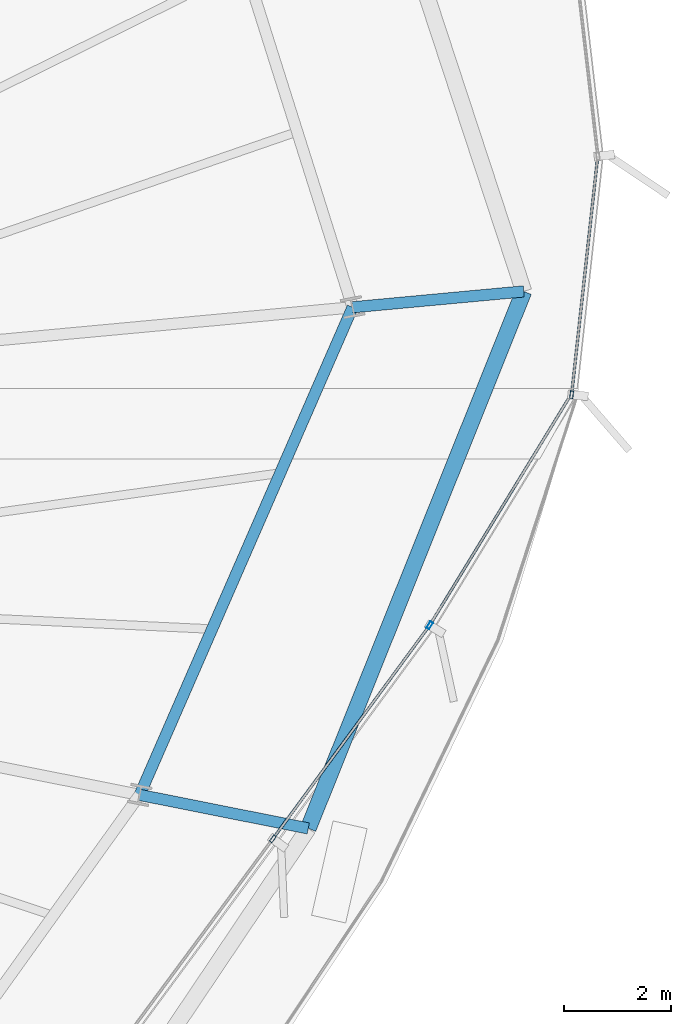
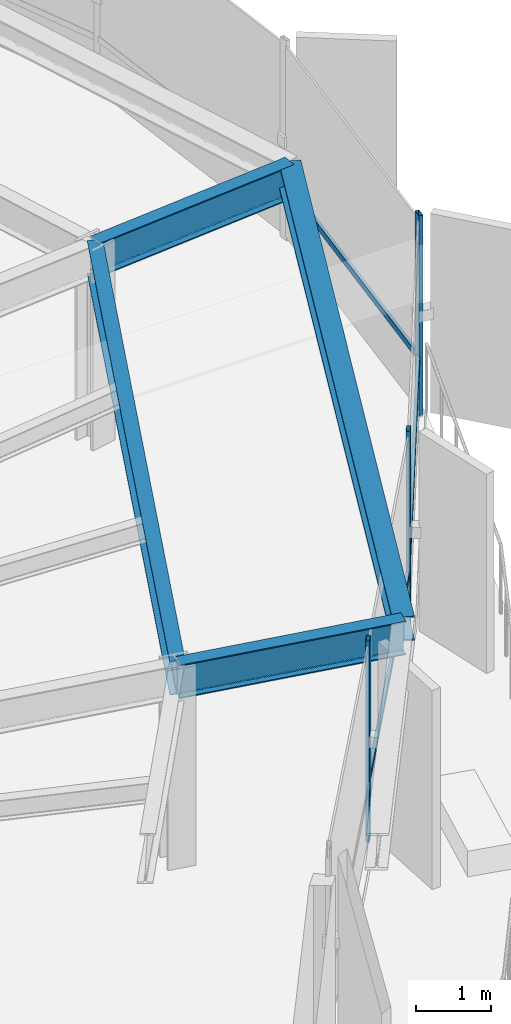
# One storey, part 16 of 34: 6 members, 4 beams, 1 element without a shape of its own.
"""IFC4 building model written with IfcOpenShell, lengths in metres."""

from ifc_helpers import new_model, si_unit, direction, frame, origin, origin_2d, place, context, subcontext, project, spatial, hollow_rectangle, i_section, extrude, source, transform, mapped, material, layer, layer_set, material_profile, profile_set, type_object, element, aggregate, save


model = new_model("IFC4")

# Units and contexts
model_context = context("Model", 3, precision=1e-05, world=origin(), true_north=direction((0.0, 1.0)))
body_context = subcontext(model_context, "Body", "Model", "MODEL_VIEW")
ifc_project = project(units=[si_unit("LENGTHUNIT", "METRE"), si_unit("AREAUNIT", "SQUARE_METRE"), si_unit("VOLUMEUNIT", "CUBIC_METRE"), si_unit("PLANEANGLEUNIT", "RADIAN"), si_unit("MASSUNIT", "GRAM", prefix="KILO"), si_unit("THERMODYNAMICTEMPERATUREUNIT", "KELVIN")], contexts=[model_context])

# Site, building, storey
site_placement = place(None, origin())
site = spatial("IfcSite", under=ifc_project, at=site_placement, CompositionType="ELEMENT")
building_placement = place(site_placement, origin())
building = spatial("IfcBuilding", under=site, at=building_placement, Name="Kethvar Cultural Tower", CompositionType="ELEMENT")
storey_placement = place(building_placement, frame((0.0, 0.0, 153.64990234375)))
storey = spatial("IfcBuildingStorey", under=building, at=storey_placement, Name="L39", CompositionType="ELEMENT", Elevation=153.64990234375)

# Beams
ifc_material_1 = material(Name="Steel S355J2", Category="steel")
ifc_material_profile_1 = material_profile(ifc_material_1, i_section(OverallWidth=0.2099609375, OverallDepth=0.550048828125, WebThickness=0.010986328125, FlangeThickness=0.01708984375, FilletRadius=0.02392578125, at=origin_2d()), Name="Steel S355J2 — IPE550")
ifc_profile_set_1 = profile_set([ifc_material_profile_1], Name="Steel S355J2 — IPE550")
beam_type_1 = type_object("IfcBeamType", Name="BM-IPE550", PredefinedType="BEAM", material=ifc_profile_set_1)
shared_shape_1 = source(origin(), body_context, "Body", "SweptSolid", [
    extrude(i_section(OverallWidth=0.2099609375, OverallDepth=0.550048828125, WebThickness=0.010986328125, FlangeThickness=0.01708984375, FilletRadius=0.02392578125, at=origin_2d()), origin(), (0.0, 0.0, 1.0), 3.199951171875),
])
for number, where, z_axis, x_axis, name in (
    (1, (71.6025390625, 32.7333984375, 3.023193359375), (0.995729641608, 0.092317283453, 0.0), (-0.092317283453, 0.995729641608, 0.0), "L39 Perimeter Cantilever Beam RC-01"),
    (2, (67.638671875, 23.65478515625, 3.023193359375), (0.980785550224, -0.195088965533, 0.0), (0.195088965533, 0.980785550224, 0.0), "L39 Perimeter Cantilever Beam RC-16"),
):
    element("IfcBeam", number, at=place(storey_placement, frame(where, z_axis=z_axis, x_axis=x_axis)), inside=storey, type_object=beam_type_1, Name=name, PredefinedType="BEAM", context=body_context, shape_type="MappedRepresentation", body=[
        mapped(shared_shape_1, transform((0.0, 0.0, 0.0), scale=1.0)),
    ])
shared_shape_2 = source(origin(), body_context, "Body", "SweptSolid", [
    extrude(i_section(OverallWidth=0.2099609375, OverallDepth=0.550048828125, WebThickness=0.010986328125, FlangeThickness=0.01708984375, FilletRadius=0.02392578125, at=origin_2d()), origin(), (0.0, 0.0, 1.0), 9.90625),
])
beam_1_placement = place(storey_placement, frame((67.638671875, 23.65478515625, 3.023193359375), z_axis=(0.400138679026, 0.916454602011, 0.0), x_axis=(-0.916454602011, 0.400138679026, 0.0)))
element("IfcBeam", 3, at=beam_1_placement, inside=storey, type_object=beam_type_1, Name="L39 Column Ring Tie Beam CR-16", PredefinedType="BEAM", context=body_context, shape_type="MappedRepresentation", body=[
    mapped(shared_shape_2, transform((0.0, 0.0, 0.0), scale=1.0)),
])
ifc_material_profile_2 = material_profile(ifc_material_1, i_section(OverallWidth=0.300048828125, OverallDepth=0.39990234375, WebThickness=0.013427734375, FlangeThickness=0.02392578125, FilletRadius=0.027099609375, at=origin_2d()), Name="Steel S355J2 — HEB400")
ifc_profile_set_2 = profile_set([ifc_material_profile_2], Name="Steel S355J2 — HEB400")
beam_type_2 = type_object("IfcBeamType", Name="BM-SP400", PredefinedType="SPANDREL", material=ifc_profile_set_2)
shared_shape_3 = source(origin(), body_context, "Body", "SweptSolid", [
    extrude(i_section(OverallWidth=0.300048828125, OverallDepth=0.39990234375, WebThickness=0.013427734375, FlangeThickness=0.02392578125, FilletRadius=0.027099609375, at=origin_2d()), origin(), (0.0, 0.0, 1.0), 10.773193359375),
])
beam_2_placement = place(storey_placement, frame((70.777099609375, 23.030517578125, 3.09814453125), z_axis=(0.372382905959, 0.928079183771, 0.0), x_axis=(-0.928079183771, 0.372382905959, 0.0)))
element("IfcBeam", 4, at=beam_2_placement, inside=storey, type_object=beam_type_2, Name="L39 Perimeter Spandrel Beam SP-16", PredefinedType="SPANDREL", context=body_context, shape_type="MappedRepresentation", body=[
    mapped(shared_shape_3, transform((0.0, 0.0, 0.0), scale=1.0)),
])

# Curtain wall, members
ifc_material_2 = material(Name="Aluminium 6063-T6", Category="aluminium")
ifc_layer = layer(ifc_material_2, 0.179931640625, Name="Aluminium 6063-T6", Category="aluminium")
ifc_layer_set = layer_set([ifc_layer], Name="Aluminium 6063-T6 (180 mm)")
curtain_wall_type = type_object("IfcCurtainWallType", Name="CW-SYS-04-Z34", PredefinedType="NOTDEFINED", material=ifc_layer_set)
curtain_wall_placement = place(storey_placement, origin())
curtain_wall = element("IfcCurtainWall", 5, at=curtain_wall_placement, inside=storey, type_object=curtain_wall_type, Name="L39 Curtain Wall Run 06", PredefinedType="NOTDEFINED")
ifc_material_profile_3 = material_profile(ifc_material_2, hollow_rectangle(XDim=0.06005859375, YDim=0.139892578125, WallThickness=0.0048828125, at=origin_2d()), Name="Aluminium 6063-T6 — RHS140x60x5")
ifc_profile_set_3 = profile_set([ifc_material_profile_3], Name="Aluminium 6063-T6 — RHS140x60x5")
member_type_1 = type_object("IfcMemberType", Name="CW-SYS-04-Z34-MUL", PredefinedType="MULLION", material=ifc_profile_set_3)
shared_shape_4 = source(origin(), body_context, "Body", "SweptSolid", [
    extrude(hollow_rectangle(XDim=0.06005859375, YDim=0.139892578125, WallThickness=0.0048828125, at=origin_2d()), origin(), (0.0, 0.0, 1.0), 3.300048828125),
])
member_1_placement = place(storey_placement, frame((70.1171875, 22.836181640625, 0.0), z_axis=(0.0, 0.0, 1.0), x_axis=(-0.805897283406, 0.592055376294, 0.0)))
member_1 = element("IfcMember", 6, at=member_1_placement, type_object=member_type_1, Name="CW-L39-R06 Mullion 2", PredefinedType="MULLION", context=body_context, shape_type="MappedRepresentation", body=[
    mapped(shared_shape_4, transform((0.0, 0.0, 0.0), scale=1.0)),
])
member_2_placement = place(storey_placement, frame((73.037841796875, 26.81103515625, 0.0), z_axis=(0.0, 0.0, 1.0), x_axis=(-0.852849840017, 0.522156250928, 0.0)))
member_2 = element("IfcMember", 7, at=member_2_placement, type_object=member_type_1, Name="CW-L39-R06 Mullion 3", PredefinedType="MULLION", context=body_context, shape_type="MappedRepresentation", body=[
    mapped(shared_shape_4, transform((0.0, 0.0, 0.0), scale=1.0)),
])
member_3_placement = place(storey_placement, frame((75.68017578125, 31.1064453125, 0.0), z_axis=(0.0, 0.0, 1.0), x_axis=(-0.994044932259, 0.108970971591, 0.0)))
member_3 = element("IfcMember", 8, at=member_3_placement, type_object=member_type_1, Name="CW-L39-R06 Mullion 4", PredefinedType="MULLION", context=body_context, shape_type="MappedRepresentation", body=[
    mapped(shared_shape_4, transform((0.0, 0.0, 0.0), scale=1.0)),
])
ifc_material_profile_4 = material_profile(ifc_material_2, hollow_rectangle(XDim=0.050048828125, YDim=0.10009765625, WallThickness=0.00390625, at=origin_2d()), Name="Aluminium 6063-T6 — RHS100x50x4")
ifc_profile_set_4 = profile_set([ifc_material_profile_4], Name="Aluminium 6063-T6 — RHS100x50x4")
member_type_2 = type_object("IfcMemberType", Name="CW-SYS-04-Z34-TRN", PredefinedType="USERDEFINED", material=ifc_profile_set_4)
shared_shape_5 = source(origin(), body_context, "Body", "SweptSolid", [
    extrude(hollow_rectangle(XDim=0.050048828125, YDim=0.10009765625, WallThickness=0.00390625, at=origin_2d()), origin(), (0.0, 0.0, 1.0), 4.85546875),
])
member_4_placement = place(storey_placement, frame((70.142822265625, 22.870849609375, 0.9501953125), z_axis=(0.592054441914, 0.805897969851, 0.0), x_axis=(-0.805897969851, 0.592054441914, 0.0)))
member_4 = element("IfcMember", 9, at=member_4_placement, type_object=member_type_2, Name="CW-L39-R06 Transom 2", ObjectType="TRANSOM", PredefinedType="USERDEFINED", context=body_context, shape_type="MappedRepresentation", body=[
    mapped(shared_shape_5, transform((0.0, 0.0, 0.0), scale=1.0)),
])
shared_shape_6 = source(origin(), body_context, "Body", "SweptSolid", [
    extrude(hollow_rectangle(XDim=0.050048828125, YDim=0.10009765625, WallThickness=0.00390625, at=origin_2d()), origin(), (0.0, 0.0, 1.0), 5.00341796875),
])
member_5_placement = place(storey_placement, frame((73.060302734375, 26.847900390625, 0.9501953125), z_axis=(0.522195868459, 0.852825582968, 0.0), x_axis=(-0.852825582968, 0.522195868459, 0.0)))
member_5 = element("IfcMember", 10, at=member_5_placement, type_object=member_type_2, Name="CW-L39-R06 Transom 3", ObjectType="TRANSOM", PredefinedType="USERDEFINED", context=body_context, shape_type="MappedRepresentation", body=[
    mapped(shared_shape_6, transform((0.0, 0.0, 0.0), scale=1.0)),
])
shared_shape_7 = source(origin(), body_context, "Body", "SweptSolid", [
    extrude(hollow_rectangle(XDim=0.050048828125, YDim=0.10009765625, WallThickness=0.00390625, at=origin_2d()), origin(), (0.0, 0.0, 1.0), 4.402587890625),
])
member_6_placement = place(storey_placement, frame((75.684814453125, 31.1494140625, 0.9501953125), z_axis=(0.108964613492, 0.994045629238, 0.0), x_axis=(-0.994045629238, 0.108964613492, 0.0)))
member_6 = element("IfcMember", 11, at=member_6_placement, type_object=member_type_2, Name="CW-L39-R06 Transom 4", ObjectType="TRANSOM", PredefinedType="USERDEFINED", context=body_context, shape_type="MappedRepresentation", body=[
    mapped(shared_shape_7, transform((0.0, 0.0, 0.0), scale=1.0)),
])
aggregate(curtain_wall, [member_1, member_2, member_3, member_4, member_5, member_6])

save(model, "model.ifc")
